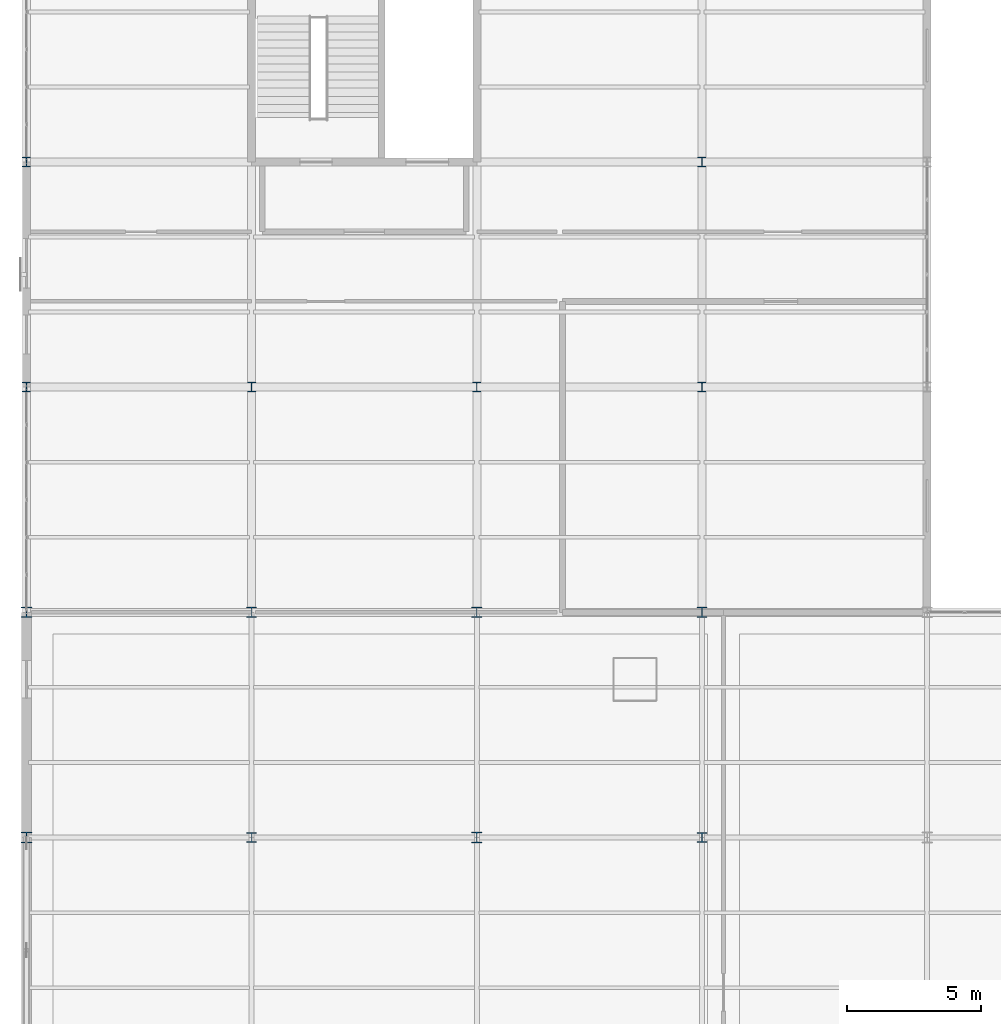
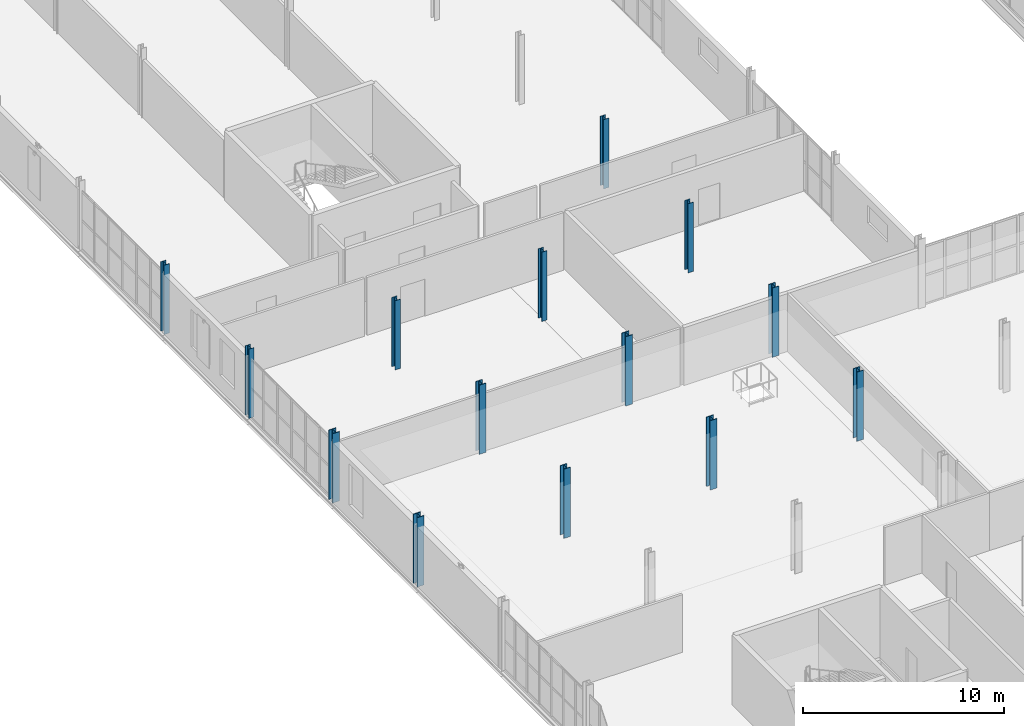
# One storey, part 3 of 163: 14 columns.
"""IFC4 building model written with IfcOpenShell, lengths in metres."""

from ifc_helpers import new_model, si_unit, direction, frame, origin, origin_2d, place, context, subcontext, project, spatial, i_section, extrude, material, material_profile, profile_set, type_object, element, save


model = new_model("IFC4")

# Units and contexts
model_context = context("Model", 3, precision=1e-05, world=origin(), true_north=direction((0.0, 1.0)))
body_context = subcontext(model_context, "Body", "Model", "MODEL_VIEW")
ifc_project = project(units=[si_unit("LENGTHUNIT", "METRE"), si_unit("AREAUNIT", "SQUARE_METRE"), si_unit("VOLUMEUNIT", "CUBIC_METRE"), si_unit("PLANEANGLEUNIT", "RADIAN"), si_unit("MASSUNIT", "GRAM", prefix="KILO")], contexts=[model_context])

# Site, building, storey
site_placement = place(None, origin())
site = spatial("IfcSite", under=ifc_project, at=site_placement, CompositionType="ELEMENT")
building_placement = place(site_placement, origin())
building = spatial("IfcBuilding", under=site, at=building_placement, Name="Qalvenar Corner Mobility Hub", CompositionType="ELEMENT")
storey_placement = place(building_placement, frame((0.0, 0.0, 4.800048828125)))
storey = spatial("IfcBuildingStorey", under=building, at=storey_placement, Name="L01", CompositionType="ELEMENT", Elevation=4.800048828125)

# Columns
ifc_material = material(Name="Steel S355", Category="steel")
ifc_material_profile_1 = material_profile(ifc_material, i_section(OverallWidth=0.376953125, OverallDepth=0.386962890625, WebThickness=0.0224609375, FlangeThickness=0.035888671875, FilletRadius=0.014892578125, at=origin_2d()), Name="HD360x262")
ifc_profile_set_1 = profile_set([ifc_material_profile_1], Name="Steel S355")
column_type_1 = type_object("IfcColumnType", Name="COL-HD360X262", PredefinedType="COLUMN", material=ifc_profile_set_1)
for number, where, z_axis, x_axis, name in (
    (1, (8.39990234375, 33.60009765625, 0.0), (0.0, 0.0, 1.0), (1.0, 0.0, 0.0), "Steel Column L01-G2-4"),
    (2, (8.39990234375, 42.0, 0.0), (0.0, 0.0, 1.0), (1.0, 0.0, 0.0), "Steel Column L01-G2-5"),
    (3, (25.199951171875, 33.60009765625, 0.0), (0.0, 0.0, 1.0), (1.0, 0.0, 0.0), "Steel Column L01-G4-4"),
    (4, (25.199951171875, 42.0, 0.0), (0.0, 0.0, 1.0), (1.0, 0.0, 0.0), "Steel Column L01-G4-5"),
):
    element("IfcColumn", number, at=place(storey_placement, frame(where, z_axis=z_axis, x_axis=x_axis)), inside=storey, type_object=column_type_1, Name=name, PredefinedType="COLUMN", context=body_context, shape_type="SweptSolid", body=[
        extrude(i_section(OverallWidth=0.376953125, OverallDepth=0.386962890625, WebThickness=0.0224609375, FlangeThickness=0.035888671875, FilletRadius=0.014892578125, at=origin_2d()), origin(), (0.0, 0.0, 1.0), 4.199951171875),
    ])
ifc_material_profile_2 = material_profile(ifc_material, i_section(OverallWidth=0.40087890625, OverallDepth=0.39892578125, WebThickness=0.02490234375, FlangeThickness=0.03955078125, FilletRadius=0.014892578125, at=origin_2d()), Name="HD400x314")
ifc_profile_set_2 = profile_set([ifc_material_profile_2], Name="Steel S355")
column_type_2 = type_object("IfcColumnType", Name="COL-HD400X314", PredefinedType="COLUMN", material=ifc_profile_set_2)
for number, where, z_axis, x_axis, name in (
    (5, (0.0, 33.60009765625, 0.0), (0.0, 0.0, 1.0), (1.0, 0.0, 0.0), "Steel Column L01-G1-4"),
    (6, (0.0, 42.0, 0.0), (0.0, 0.0, 1.0), (1.0, 0.0, 0.0), "Steel Column L01-G1-5"),
    (7, (16.800048828125, 33.60009765625, 0.0), (0.0, 0.0, 1.0), (1.0, 0.0, 0.0), "Steel Column L01-G3-4"),
    (8, (16.800048828125, 42.0, 0.0), (0.0, 0.0, 1.0), (1.0, 0.0, 0.0), "Steel Column L01-G3-5"),
):
    element("IfcColumn", number, at=place(storey_placement, frame(where, z_axis=z_axis, x_axis=x_axis)), inside=storey, type_object=column_type_2, Name=name, PredefinedType="COLUMN", context=body_context, shape_type="SweptSolid", body=[
        extrude(i_section(OverallWidth=0.40087890625, OverallDepth=0.39892578125, WebThickness=0.02490234375, FlangeThickness=0.03955078125, FilletRadius=0.014892578125, at=origin_2d()), origin(), (0.0, 0.0, 1.0), 4.199951171875),
    ])
ifc_material_profile_3 = material_profile(ifc_material, i_section(OverallWidth=0.300048828125, OverallDepth=0.35009765625, WebThickness=0.010009765625, FlangeThickness=0.017578125, FilletRadius=0.027099609375, at=origin_2d()), Name="HEA360")
ifc_profile_set_3 = profile_set([ifc_material_profile_3], Name="Steel S355")
column_type_3 = type_object("IfcColumnType", Name="COL-HEA360", PredefinedType="COLUMN", material=ifc_profile_set_3)
for number, where, z_axis, x_axis, name in (
    (9, (8.39990234375, 50.39990234375, 0.0), (0.0, 0.0, 1.0), (1.0, 0.0, 0.0), "Steel Column L01-G2-6"),
    (10, (25.199951171875, 50.39990234375, 0.0), (0.0, 0.0, 1.0), (1.0, 0.0, 0.0), "Steel Column L01-G4-6"),
    (11, (25.199951171875, 58.800048828125, 0.0), (0.0, 0.0, 1.0), (1.0, 0.0, 0.0), "Steel Column L01-G4-7"),
):
    element("IfcColumn", number, at=place(storey_placement, frame(where, z_axis=z_axis, x_axis=x_axis)), inside=storey, type_object=column_type_3, Name=name, PredefinedType="COLUMN", context=body_context, shape_type="SweptSolid", body=[
        extrude(i_section(OverallWidth=0.300048828125, OverallDepth=0.35009765625, WebThickness=0.010009765625, FlangeThickness=0.017578125, FilletRadius=0.027099609375, at=origin_2d()), origin(), (0.0, 0.0, 1.0), 4.199951171875),
    ])
ifc_material_profile_4 = material_profile(ifc_material, i_section(OverallWidth=0.300048828125, OverallDepth=0.360107421875, WebThickness=0.012451171875, FlangeThickness=0.0224609375, FilletRadius=0.027099609375, at=origin_2d()), Name="HEB360")
ifc_profile_set_4 = profile_set([ifc_material_profile_4], Name="Steel S355")
column_type_4 = type_object("IfcColumnType", Name="COL-HEB360", PredefinedType="COLUMN", material=ifc_profile_set_4)
for number, where, z_axis, x_axis, name in (
    (12, (0.0, 50.39990234375, 0.0), (0.0, 0.0, 1.0), (1.0, 0.0, 0.0), "Steel Column L01-G1-6"),
    (13, (0.0, 58.800048828125, 0.0), (0.0, 0.0, 1.0), (1.0, 0.0, 0.0), "Steel Column L01-G1-7"),
    (14, (16.800048828125, 50.39990234375, 0.0), (0.0, 0.0, 1.0), (1.0, 0.0, 0.0), "Steel Column L01-G3-6"),
):
    element("IfcColumn", number, at=place(storey_placement, frame(where, z_axis=z_axis, x_axis=x_axis)), inside=storey, type_object=column_type_4, Name=name, PredefinedType="COLUMN", context=body_context, shape_type="SweptSolid", body=[
        extrude(i_section(OverallWidth=0.300048828125, OverallDepth=0.360107421875, WebThickness=0.012451171875, FlangeThickness=0.0224609375, FilletRadius=0.027099609375, at=origin_2d()), origin(), (0.0, 0.0, 1.0), 4.199951171875),
    ])

save(model, "model.ifc")
